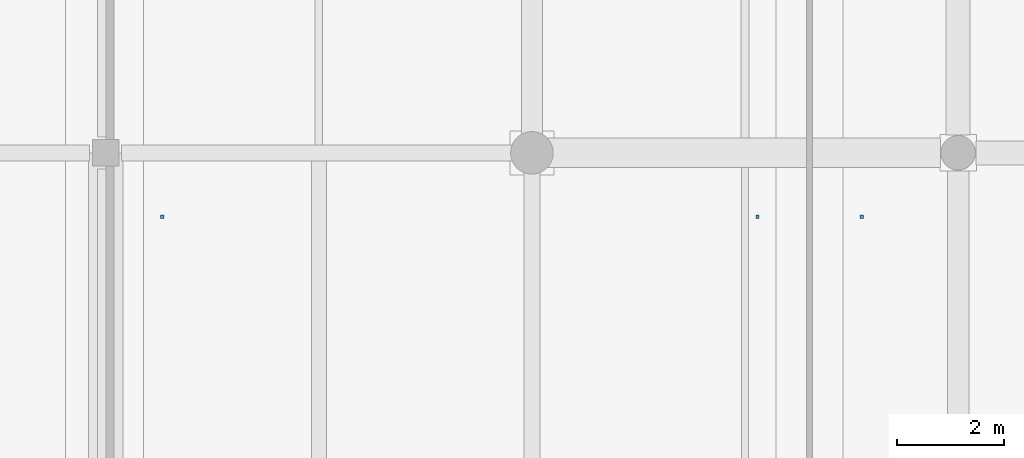
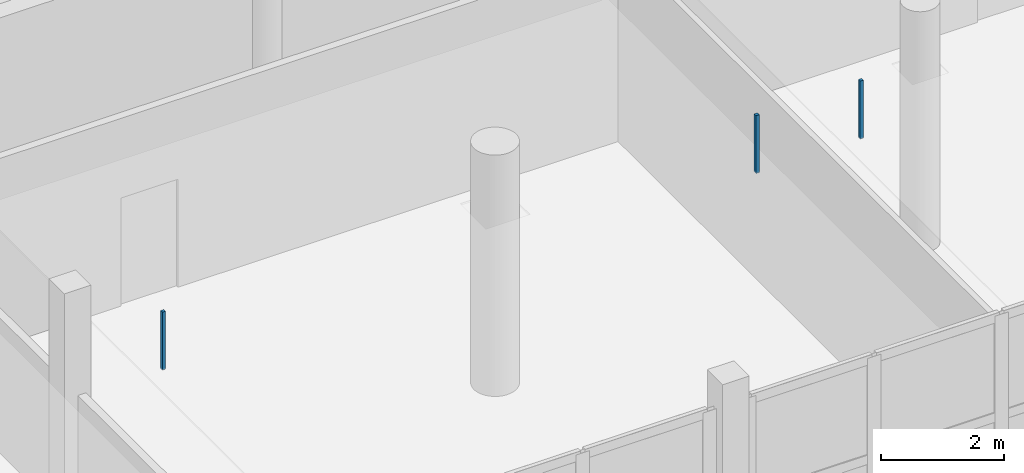
# One storey, part 106 of 147: 3 discrete accessories.
"""IFC4 building model written with IfcOpenShell, lengths in metres."""

import ifcopenshell
import ifcopenshell.guid

model = None  # the IFC model being written
_history = None  # IfcOwnerHistory: only IFC2X3 demands one
_inside = {}  # id of a spatial element -> (the spatial element, [elements in it])
_under = {}  # id of a project, library or spatial element -> (it, [spatial elements below it])
_declared = {}  # id of a project -> (the project, [libraries it declares])
_typed = {}  # id of a type object -> (the type object, [elements of that type])
_made_of = {}  # id of a material, layer set ... -> (it, [elements and type objects made of it])


def new_model(schema):
    """Start an empty IFC model of exactly this schema.

    Asked for "IFC4X3", IfcOpenShell would pick the latest addendum, in which some entities
    have other attributes; the version numbers below select the first issue.
    IFC2X3 requires an IfcOwnerHistory on every rooted entity: one is made here for all.
    """
    global model, _history
    if schema == "IFC4X3":
        model = ifcopenshell.file(schema_version=(4, 3, 0, 0))
    else:
        model = ifcopenshell.file(schema=schema)
    _inside.clear()
    _under.clear()
    _declared.clear()
    _typed.clear()
    _made_of.clear()
    _history = None
    if model.schema == "IFC2X3":
        org = make("IfcOrganization", Name="unknown")
        user = make(
            "IfcPersonAndOrganization",
            ThePerson=make("IfcPerson", FamilyName="unknown"),
            TheOrganization=org,
        )
        app = make(
            "IfcApplication",
            ApplicationDeveloper=org,
            Version="unknown",
            ApplicationFullName="unknown",
            ApplicationIdentifier="unknown",
        )
        _history = make(
            "IfcOwnerHistory",
            OwningUser=user,
            OwningApplication=app,
            ChangeAction="ADDED",
            CreationDate=0,
        )
    return model


def make(cls, **values):
    """One entity of the class cls with the attributes given. An attribute that is None is left unset."""
    return model.create_entity(
        cls, **{name: value for name, value in values.items() if value is not None}
    )


def rooted(cls, **values):
    """An entity with a GlobalId (a new one), such as an element, a storey or a relation."""
    return make(cls, GlobalId=ifcopenshell.guid.new(), OwnerHistory=_history, **values)


def si_unit(unit_type, name, prefix=None):
    """IfcSIUnit, for example si_unit("LENGTHUNIT", "METRE", prefix="MILLI")."""
    return make("IfcSIUnit", UnitType=unit_type, Prefix=prefix, Name=name)


def assignment(units):
    """IfcUnitAssignment: the units of a project."""
    return None if units is None else make("IfcUnitAssignment", Units=units)


def point(xyz):
    """IfcCartesianPoint."""
    return None if xyz is None else make("IfcCartesianPoint", Coordinates=xyz)


def direction(xyz):
    """IfcDirection."""
    return None if xyz is None else make("IfcDirection", DirectionRatios=xyz)


def frame(location, z_axis=None, x_axis=None):
    """IfcAxis2Placement3D, a coordinate frame: its origin and axes. An axis left out is left unset."""
    return make(
        "IfcAxis2Placement3D",
        Location=point(location),
        Axis=direction(z_axis),
        RefDirection=direction(x_axis),
    )


def frame_2d(location, x_axis=None):
    """IfcAxis2Placement2D, a coordinate frame in the plane: its origin and x axis."""
    return make(
        "IfcAxis2Placement2D", Location=point(location), RefDirection=direction(x_axis)
    )


def origin():
    """The frame at (0, 0, 0) with its axes left unset."""
    return frame((0.0, 0.0, 0.0))


def origin_2d():
    """The frame at (0, 0) in the plane with its x axis left unset."""
    return frame_2d((0.0, 0.0))


def place(relative_to, where):
    """IfcLocalPlacement: puts the frame where relative to a parent placement (None: the world)."""
    return make(
        "IfcLocalPlacement", PlacementRelTo=relative_to, RelativePlacement=where
    )


def context(
    kind, dimensions, precision=None, world=None, true_north=None, identifier=None
):
    """IfcGeometricRepresentationContext, for example the 3D "Model" context."""
    return make(
        "IfcGeometricRepresentationContext",
        ContextIdentifier=identifier,
        ContextType=kind,
        CoordinateSpaceDimension=dimensions,
        Precision=precision,
        WorldCoordinateSystem=world,
        TrueNorth=true_north,
    )


def subcontext(parent, identifier, kind, view, scale=None):
    """IfcGeometricRepresentationSubContext, for example "Body" below "Model"."""
    return make(
        "IfcGeometricRepresentationSubContext",
        ContextIdentifier=identifier,
        ContextType=kind,
        ParentContext=parent,
        TargetScale=scale,
        TargetView=view,
    )


def project(units=None, contexts=None):
    """IfcProject with its units and contexts."""
    return rooted(
        "IfcProject",
        Name="project",
        RepresentationContexts=contexts,
        UnitsInContext=assignment(units),
    )


def spatial(cls, under=None, at=None, **own):
    """A site, building, storey or space (cls), placed at a placement, below another one or the project."""
    s = rooted(cls, ObjectPlacement=at, **own)
    if under is not None:
        _under.setdefault(under.id(), (under, []))[1].append(s)
    return s


def profile(cls, at=None, kind="AREA", **sizes):
    """A parametric profile (cls). Its sizes go by their IFC names, for example OverallWidth=200.0."""
    return make(cls, ProfileType=kind, Position=at, **sizes)


def rectangle(**sizes):
    """IfcRectangleProfileDef."""
    return profile("IfcRectangleProfileDef", **sizes)


def extrude(swept, where, along, depth):
    """IfcExtrudedAreaSolid: the profile swept, set in the frame where, extruded along a direction by depth."""
    return make(
        "IfcExtrudedAreaSolid",
        SweptArea=swept,
        Position=where,
        ExtrudedDirection=direction(along),
        Depth=depth,
    )


def shape(context_of_items, identifier, shape_type, items):
    """IfcShapeRepresentation: the items that make up one representation, for example the "Body"."""
    return make(
        "IfcShapeRepresentation",
        ContextOfItems=context_of_items,
        RepresentationIdentifier=identifier,
        RepresentationType=shape_type,
        Items=items,
    )


def material(Name=None, Category=None):
    """IfcMaterial."""
    return make("IfcMaterial", Name=Name, Category=Category)


def made_of(thing, what):
    """Note that an element or type object is made of a material, layer set ...; save() writes the relation."""
    if what is not None:
        _made_of.setdefault(what.id(), (what, []))[1].append(thing)
    return thing


def type_object(cls, material=None, **own):
    """A type object (cls), such as IfcWallType, which elements share."""
    return made_of(rooted(cls, **own), material)


def element(
    cls,
    number,
    at=None,
    inside=None,
    cuts=None,
    type_object=None,
    material=None,
    context=None,
    identifier="Body",
    shape_type=None,
    held_by="IfcProductDefinitionShape",
    body=None,
    shapes=None,
    **own,
):
    """One element of the class cls, such as IfcWall. Its Tag is "e" and its number.

    at: its placement. inside: the storey or other place that contains it. cuts: it is an
    opening in that element (IfcRelVoidsElement). A single representation is given by context,
    identifier, shape_type and body (its items); several are given by shapes. held_by: the class
    of the entity that holds the representations. save() writes the other relations.
    """
    e = rooted(cls, Tag="e%d" % number, ObjectPlacement=at, **own)
    if body is not None:
        shapes = [shape(context, identifier, shape_type, body)]
    if shapes is not None:
        e.Representation = make(held_by, Representations=shapes)
    if inside is not None:
        _inside.setdefault(inside.id(), (inside, []))[1].append(e)
    if cuts is not None:
        rooted(
            "IfcRelVoidsElement", RelatingBuildingElement=cuts, RelatedOpeningElement=e
        )
    if type_object is not None:
        _typed.setdefault(type_object.id(), (type_object, []))[1].append(e)
    return made_of(e, material)


def aggregate(whole, parts):
    """IfcRelAggregates: a whole, such as a stair, and the parts it consists of."""
    return rooted("IfcRelAggregates", RelatingObject=whole, RelatedObjects=parts)


def save(model, path):
    """Write the relations noted so far, then the file.

    IfcRelAggregates (storeys below a building ...), IfcRelContainedInSpatialStructure (elements
    in a storey), IfcRelDefinesByType, IfcRelAssociatesMaterial and IfcRelDeclares: one each for
    every whole, place, type object, material and project.
    """
    for whole, parts in _under.values():
        aggregate(whole, parts)
    for where, things in _inside.values():
        rooted(
            "IfcRelContainedInSpatialStructure",
            RelatedElements=things,
            RelatingStructure=where,
        )
    for kind, things in _typed.values():
        rooted("IfcRelDefinesByType", RelatedObjects=things, RelatingType=kind)
    for what, things in _made_of.values():
        rooted("IfcRelAssociatesMaterial", RelatedObjects=things, RelatingMaterial=what)
    for by, libraries in _declared.values():
        rooted("IfcRelDeclares", RelatingContext=by, RelatedDefinitions=libraries)
    model.write(path)


model = new_model("IFC4")

# Units and contexts
model_context = context("Model", 3, precision=1e-05, world=origin(), true_north=direction((0.0, 1.0)))
body_context = subcontext(model_context, "Body", "Model", "MODEL_VIEW")
ifc_project = project(units=[si_unit("LENGTHUNIT", "METRE"), si_unit("AREAUNIT", "SQUARE_METRE"), si_unit("VOLUMEUNIT", "CUBIC_METRE"), si_unit("PLANEANGLEUNIT", "RADIAN"), si_unit("MASSUNIT", "GRAM", prefix="KILO")], contexts=[model_context])

# Site, building, storey
site_placement = place(None, origin())
site = spatial("IfcSite", under=ifc_project, at=site_placement, CompositionType="ELEMENT")
building_placement = place(site_placement, origin())
building = spatial("IfcBuilding", under=site, at=building_placement, Name="Khelvaren Railside Concert Hall", CompositionType="ELEMENT")
storey_placement = place(building_placement, frame((0.0, 0.0, 5.39990234375)))
storey = spatial("IfcBuildingStorey", under=building, at=storey_placement, Name="L01", CompositionType="ELEMENT", Elevation=5.39990234375)

# Discrete accessories
ifc_material = material(Name="Galvanised steel acoustic ceiling hanger rod", Category="steel")
discrete_accessory_type = type_object("IfcDiscreteAccessoryType", Name="BRK62", PredefinedType="BRACKET", material=ifc_material)
for number, where, z_axis, x_axis, name in (
    (1, (17.06005859375, 74.800048828125, 3.43017578125), (0.0, 0.0, 1.0), (1.0, 0.0, 0.0), "Acoustic Ceiling Suspension Bracket 114-1"),
    (2, (28.23193359375, 74.800048828125, 3.43017578125), (0.0, 0.0, 1.0), (1.0, 0.0, 0.0), "Acoustic Ceiling Suspension Bracket 114-2"),
    (3, (30.19189453125, 74.800048828125, 3.43017578125), (0.0, 0.0, 1.0), (1.0, 0.0, 0.0), "Acoustic Ceiling Suspension Bracket 115-1"),
):
    element("IfcDiscreteAccessory", number, at=place(storey_placement, frame(where, z_axis=z_axis, x_axis=x_axis)), inside=storey, type_object=discrete_accessory_type, Name=name, PredefinedType="BRACKET", context=body_context, shape_type="SweptSolid", body=[
        extrude(rectangle(XDim=0.06005859375, YDim=0.06005859375, at=origin_2d()), origin(), (0.0, 0.0, 1.0), 1.14990234375),
    ])

save(model, "model.ifc")
